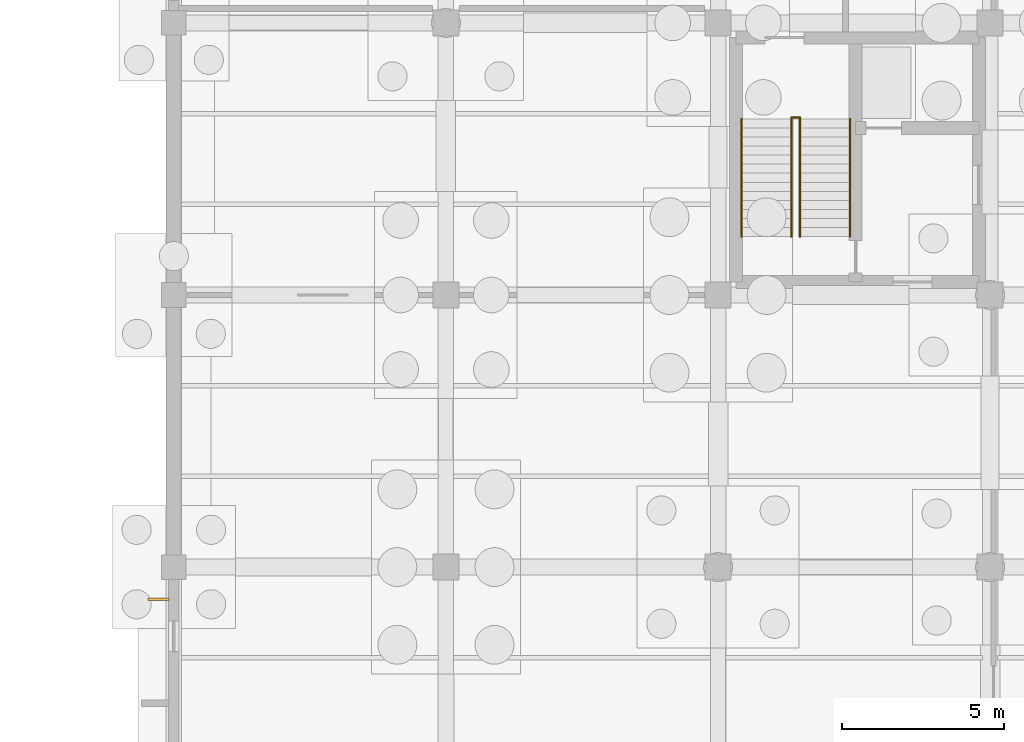
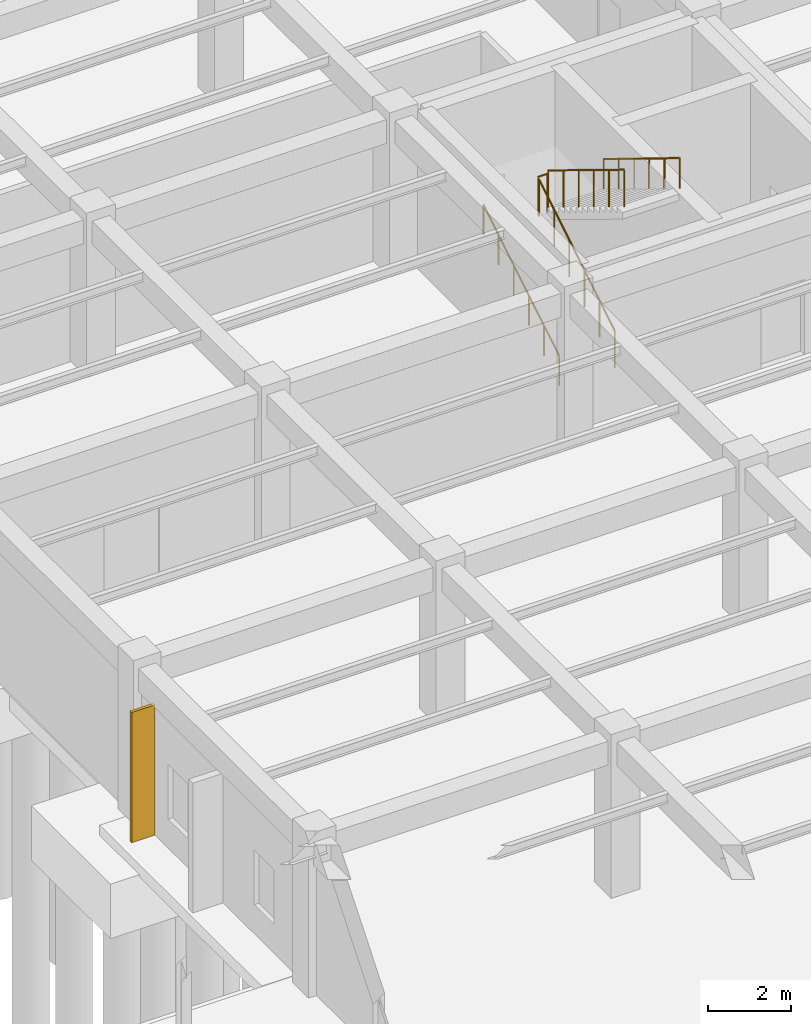
# One storey, part 179 of 192: 5 railings, 1 shading device.
"""IFC4 building model written with IfcOpenShell, lengths in metres."""

from ifc_helpers import new_model, si_unit, direction, frame, origin, origin_2d, place, context, subcontext, project, spatial, rectangle, circle, extrude, material, type_object, element, save


model = new_model("IFC4")

# Units and contexts
model_context = context("Model", 3, precision=1e-05, world=origin(), true_north=direction((0.0, 1.0)))
body_context = subcontext(model_context, "Body", "Model", "MODEL_VIEW")
ifc_project = project(units=[si_unit("LENGTHUNIT", "METRE"), si_unit("AREAUNIT", "SQUARE_METRE"), si_unit("VOLUMEUNIT", "CUBIC_METRE"), si_unit("PLANEANGLEUNIT", "RADIAN"), si_unit("MASSUNIT", "GRAM", prefix="KILO")], contexts=[model_context])

# Site, building, storey
site_placement = place(None, origin())
site = spatial("IfcSite", under=ifc_project, at=site_placement, CompositionType="ELEMENT")
building_placement = place(site_placement, origin())
building = spatial("IfcBuilding", under=site, at=building_placement, Name="Trelvath General Hospital", CompositionType="ELEMENT")
storey_placement = place(building_placement, origin())
storey = spatial("IfcBuildingStorey", under=building, at=storey_placement, Name="L00", CompositionType="ELEMENT", Elevation=0.0)

# Railings
ifc_material_1 = material(Name="Architectural painted steel", Category="steel")
railing_type_1 = type_object("IfcRailingType", Name="Guardrail Terrace1150", PredefinedType="GUARDRAIL", material=ifc_material_1)
railing_1_placement = place(storey_placement, frame((19.330078125, 55.840087890625, 2.5712890625)))
element("IfcRailing", 1, at=railing_1_placement, inside=storey, type_object=railing_type_1, Name="Stair Rail ST8 L00 F2 L 242", PredefinedType="GUARDRAIL", context=body_context, shape_type="SweptSolid", body=[
    extrude(circle(Radius=0.02392578125, at=origin_2d()), frame((0.0, 0.0, 1.076171875), z_axis=(0.0, -0.852840387347, 0.522171689878), x_axis=(1.0, 0.0, 0.0)), (0.0, 0.0, 1.0), 4.268310546875),
    extrude(circle(Radius=0.02099609375, at=origin_2d()), origin(), (0.0, 0.0, 1.0), 1.050048828125),
    extrude(circle(Radius=0.02099609375, at=origin_2d()), frame((0.0, -0.72802734375, 0.44580078125)), (0.0, 0.0, 1.0), 1.050048828125),
    extrude(circle(Radius=0.02099609375, at=origin_2d()), frame((0.0, -1.4560546875, 0.8916015625)), (0.0, 0.0, 1.0), 1.050048828125),
    extrude(circle(Radius=0.02099609375, at=origin_2d()), frame((0.0, -2.18408203125, 1.337158203125)), (0.0, 0.0, 1.0), 1.050048828125),
    extrude(circle(Radius=0.02099609375, at=origin_2d()), frame((0.0, -2.912109375, 1.782958984375)), (0.0, 0.0, 1.0), 1.050048828125),
    extrude(circle(Radius=0.02099609375, at=origin_2d()), frame((0.0, -3.64013671875, 2.228759765625)), (0.0, 0.0, 1.0), 1.050048828125),
])
railing_2_placement = place(storey_placement, frame((19.070068359375, 52.199951171875, 0.17138671875)))
element("IfcRailing", 2, at=railing_2_placement, inside=storey, type_object=railing_type_1, Name="Stair Rail ST8 L00 F1 R 243", PredefinedType="GUARDRAIL", context=body_context, shape_type="SweptSolid", body=[
    extrude(circle(Radius=0.02392578125, at=origin_2d()), frame((0.0, 0.0, 1.076171875), z_axis=(0.0, 0.852865859571, 0.52213008492), x_axis=(-1.0, 0.0, 0.0)), (0.0, 0.0, 1.0), 4.26806640625),
    extrude(circle(Radius=0.02099609375, at=origin_2d()), origin(), (0.0, 0.0, 1.0), 1.050048828125),
    extrude(circle(Radius=0.02099609375, at=origin_2d()), frame((0.0, 0.72802734375, 0.44580078125)), (0.0, 0.0, 1.0), 1.050048828125),
    extrude(circle(Radius=0.02099609375, at=origin_2d()), frame((0.0, 1.4560546875, 0.891357421875)), (0.0, 0.0, 1.0), 1.050048828125),
    extrude(circle(Radius=0.02099609375, at=origin_2d()), frame((0.0, 2.18408203125, 1.337158203125)), (0.0, 0.0, 1.0), 1.050048828125),
    extrude(circle(Radius=0.02099609375, at=origin_2d()), frame((0.0, 2.912109375, 1.78271484375)), (0.0, 0.0, 1.0), 1.050048828125),
    extrude(circle(Radius=0.02099609375, at=origin_2d()), frame((0.0, 3.64013671875, 2.228515625)), (0.0, 0.0, 1.0), 1.050048828125),
])
railing_3_placement = place(storey_placement, frame((19.070068359375, 55.8798828125, 2.39990234375)))
element("IfcRailing", 3, at=railing_3_placement, inside=storey, type_object=railing_type_1, Name="Half-Landing Well Guard ST8 L00 245", PredefinedType="GUARDRAIL", context=body_context, shape_type="SweptSolid", body=[
    extrude(circle(Radius=0.02392578125, at=origin_2d()), frame((0.0, 0.0, 1.1259765625), z_axis=(1.0, 0.0, 0.0), x_axis=(0.0, 1.0, 0.0)), (0.0, 0.0, 1.0), 0.260009765625),
    extrude(circle(Radius=0.02099609375, at=origin_2d()), origin(), (0.0, 0.0, 1.0), 1.099853515625),
    extrude(circle(Radius=0.02099609375, at=origin_2d()), frame((0.260009765625, 0.0, 0.0)), (0.0, 0.0, 1.0), 1.099853515625),
])
ifc_material_2 = material(Name="Brushed stainless steel", Category="steel")
railing_type_2 = type_object("IfcRailingType", Name="Handrail Stair900", PredefinedType="HANDRAIL", material=ifc_material_2)
railing_4_placement = place(storey_placement, frame((17.530029296875, 52.199951171875, 0.17138671875)))
element("IfcRailing", 4, at=railing_4_placement, inside=storey, type_object=railing_type_2, Name="Stair Rail ST8 L00 F1 L 241", PredefinedType="HANDRAIL", context=body_context, shape_type="SweptSolid", body=[
    extrude(circle(Radius=0.02392578125, at=origin_2d()), frame((0.0, 0.0, 0.8759765625), z_axis=(0.0, 0.852865859571, 0.52213008492), x_axis=(-1.0, 0.0, 0.0)), (0.0, 0.0, 1.0), 4.26806640625),
    extrude(circle(Radius=0.02099609375, at=origin_2d()), origin(), (0.0, 0.0, 1.0), 0.849853515625),
    extrude(circle(Radius=0.02099609375, at=origin_2d()), frame((0.0, 0.72802734375, 0.44580078125)), (0.0, 0.0, 1.0), 0.849853515625),
    extrude(circle(Radius=0.02099609375, at=origin_2d()), frame((0.0, 1.4560546875, 0.891357421875)), (0.0, 0.0, 1.0), 0.849853515625),
    extrude(circle(Radius=0.02099609375, at=origin_2d()), frame((0.0, 2.18408203125, 1.337158203125)), (0.0, 0.0, 1.0), 0.849853515625),
    extrude(circle(Radius=0.02099609375, at=origin_2d()), frame((0.0, 2.912109375, 1.78271484375)), (0.0, 0.0, 1.0), 0.849853515625),
    extrude(circle(Radius=0.02099609375, at=origin_2d()), frame((0.0, 3.64013671875, 2.228515625)), (0.0, 0.0, 1.0), 0.849853515625),
])
railing_5_placement = place(storey_placement, frame((20.8701171875, 55.840087890625, 2.5712890625)))
element("IfcRailing", 5, at=railing_5_placement, inside=storey, type_object=railing_type_2, Name="Stair Rail ST8 L00 F2 R 244", PredefinedType="HANDRAIL", context=body_context, shape_type="SweptSolid", body=[
    extrude(circle(Radius=0.02392578125, at=origin_2d()), frame((0.0, 0.0, 0.8759765625), z_axis=(0.0, -0.852840387347, 0.522171689878), x_axis=(1.0, 0.0, 0.0)), (0.0, 0.0, 1.0), 4.268310546875),
    extrude(circle(Radius=0.02099609375, at=origin_2d()), origin(), (0.0, 0.0, 1.0), 0.849853515625),
    extrude(circle(Radius=0.02099609375, at=origin_2d()), frame((0.0, -0.72802734375, 0.44580078125)), (0.0, 0.0, 1.0), 0.849853515625),
    extrude(circle(Radius=0.02099609375, at=origin_2d()), frame((0.0, -1.4560546875, 0.8916015625)), (0.0, 0.0, 1.0), 0.849853515625),
    extrude(circle(Radius=0.02099609375, at=origin_2d()), frame((0.0, -2.18408203125, 1.337158203125)), (0.0, 0.0, 1.0), 0.849853515625),
    extrude(circle(Radius=0.02099609375, at=origin_2d()), frame((0.0, -2.912109375, 1.782958984375)), (0.0, 0.0, 1.0), 0.849853515625),
    extrude(circle(Radius=0.02099609375, at=origin_2d()), frame((0.0, -3.64013671875, 2.228759765625)), (0.0, 0.0, 1.0), 0.849853515625),
])

# Shading device
ifc_material_3 = material(Name="Anodised aluminium", Category="aluminium")
shading_device_type = type_object("IfcShadingDeviceType", Name="SolarScreen PerforatedAlu", PredefinedType="JALOUSIE", material=ifc_material_3)
shading_device_placement = place(storey_placement, frame((-0.47998046875, 41.012939453125, 0.0), z_axis=(0.0, 0.0, 1.0), x_axis=(-1.0, 0.0, 0.0)))
element("IfcShadingDevice", 6, at=shading_device_placement, inside=storey, type_object=shading_device_type, Name="Solar Brise-Soleil Screen L00-2", PredefinedType="JALOUSIE", context=body_context, shape_type="SweptSolid", body=[
    extrude(rectangle(XDim=0.64990234375, YDim=0.080078125, at=origin_2d()), origin(), (0.0, 0.0, 1.0), 3.820068359375),
])

save(model, "model.ifc")
